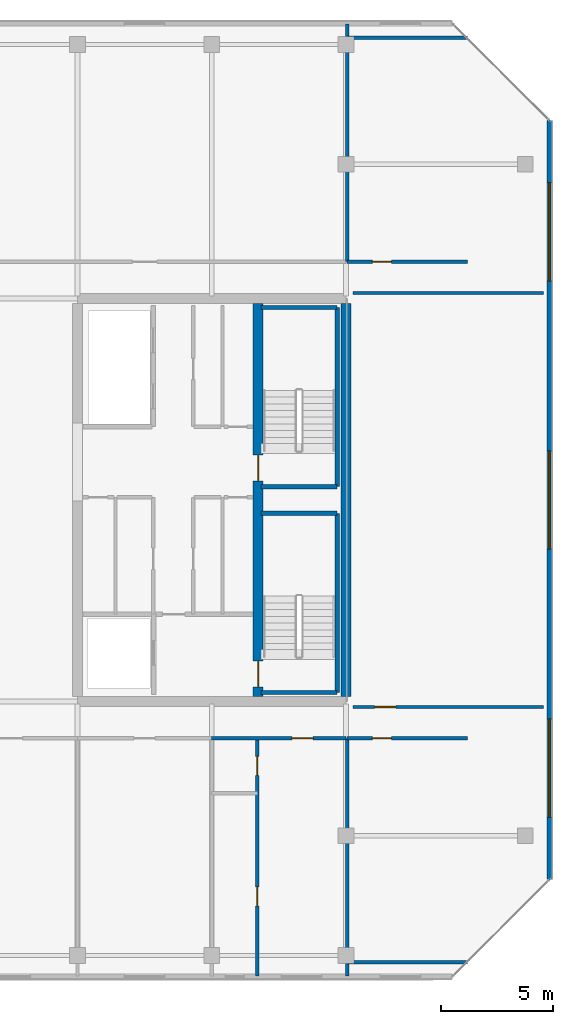
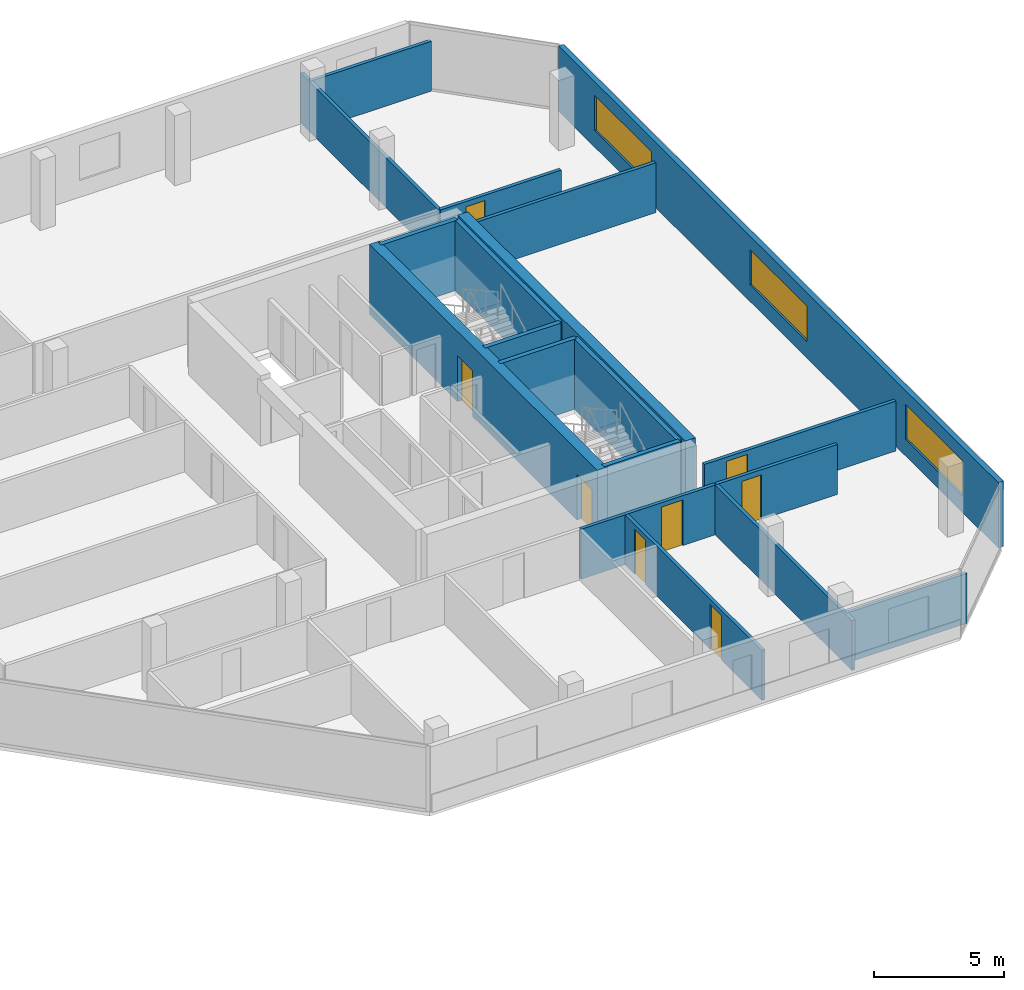
# One storey, part 25 of 29: 19 walls, 8 doors, 3 windows, 11 openings.
"""IFC4 building model written with IfcOpenShell, lengths in metres."""

from ifc_helpers import new_model, si_unit, direction, frame, frame_2d, origin, place, context, subcontext, project, spatial, rectangle, extrude, material, layer, layer_set, type_object, element, fill, save


model = new_model("IFC4")

# Units and contexts
model_context = context("Model", 3, precision=1e-05, world=origin(), true_north=direction((0.0, 1.0)))
body_context = subcontext(model_context, "Body", "Model", "MODEL_VIEW")
ifc_project = project(units=[si_unit("LENGTHUNIT", "METRE"), si_unit("AREAUNIT", "SQUARE_METRE"), si_unit("VOLUMEUNIT", "CUBIC_METRE"), si_unit("PLANEANGLEUNIT", "RADIAN"), si_unit("MASSUNIT", "GRAM", prefix="KILO")], contexts=[model_context])

# Site, building, storey
site_placement = place(None, origin())
site = spatial("IfcSite", under=ifc_project, at=site_placement, CompositionType="ELEMENT")
building_placement = place(site_placement, origin())
building = spatial("IfcBuilding", under=site, at=building_placement, Name="Tanjung Sevakor Pilgrim Tower", CompositionType="ELEMENT")
storey_placement = place(building_placement, frame((0.0, 0.0, 235.949951171875)))
storey = spatial("IfcBuildingStorey", under=building, at=storey_placement, Name="L66", CompositionType="ELEMENT", Elevation=235.949951171875)

# Wall
ifc_material_1 = material(Name="Concrete C60/75", Category="concrete")
ifc_layer_1 = layer(ifc_material_1, 0.449951171875)
ifc_layer_set_1 = layer_set([ifc_layer_1], Name="WALL-CW-450")
wall_type_1 = type_object("IfcWallType", Name="WALL-CW-450", PredefinedType="SHEAR", material=ifc_layer_set_1)
wall_1_placement = place(storey_placement, frame((90.0, 24.824951171875, 0.0), z_axis=(0.0, 0.0, 1.0), x_axis=(0.0, 1.0, 0.0)))
element("IfcWall", 1, at=wall_1_placement, inside=storey, type_object=wall_type_1, Name="L66 E Core Outer Shear Wall", PredefinedType="SHEAR", context=body_context, shape_type="SweptSolid", body=[
    extrude(rectangle(XDim=17.550048828125, YDim=0.449951171875, at=frame_2d((8.77490234375, 0.0))), origin(), (0.0, 0.0, 1.0), 3.300048828125),
])

# Wall, openings, doors
wall_2_placement = place(storey_placement, frame((86.074951171875, 24.824951171875, 0.0), z_axis=(0.0, 0.0, 1.0), x_axis=(0.0, 1.0, 0.0)))
wall_2 = element("IfcWall", 2, at=wall_2_placement, inside=storey, type_object=wall_type_1, Name="L66 E Core Stair Spine Wall", PredefinedType="SHEAR", context=body_context, shape_type="SweptSolid", body=[
    extrude(rectangle(XDim=17.550048828125, YDim=0.449951171875, at=frame_2d((8.77490234375, 0.0))), origin(), (0.0, 0.0, 1.0), 3.300048828125),
])
opening_1_placement = place(wall_2_placement, frame((0.425048828125, 0.0, 0.0)))
opening_1 = element("IfcOpeningElement", 3, at=opening_1_placement, cuts=wall_2, Name="Opening ID-ST1", PredefinedType="OPENING", context=body_context, shape_type="SweptSolid", body=[
    extrude(rectangle(XDim=1.14990234375, YDim=2.14990234375, at=frame_2d((0.574951171875, 1.074951171875))), frame((0.0, 0.23486328125, 0.0), z_axis=(0.0, -1.0, 0.0), x_axis=(1.0, 0.0, 0.0)), (0.0, 0.0, 1.0), 0.469970703125),
])
opening_2_placement = place(wall_2_placement, frame((9.625, 0.0, 0.0)))
opening_2 = element("IfcOpeningElement", 4, at=opening_2_placement, cuts=wall_2, Name="Opening ID-ST1", PredefinedType="OPENING", context=body_context, shape_type="SweptSolid", body=[
    extrude(rectangle(XDim=1.14990234375, YDim=2.14990234375, at=frame_2d((0.574951171875, 1.074951171875))), frame((0.0, 0.23486328125, 0.0), z_axis=(0.0, -1.0, 0.0), x_axis=(1.0, 0.0, 0.0)), (0.0, 0.0, 1.0), 0.469970703125),
])
ifc_material_2 = material(Name="Fire-Rated Steel S355J2", Category="steel")
door_type_1 = type_object("IfcDoorType", Name="DT-FIRE-1150", OperationType="NOTDEFINED", PredefinedType="DOOR", material=ifc_material_2)
door_1_placement = place(opening_1_placement, origin())
door_1 = element("IfcDoor", 5, at=door_1_placement, inside=storey, type_object=door_type_1, Name="L66 TS-E1 Stair Fire Door", OperationType="SINGLE_SWING_LEFT", OverallHeight=2.14990234375, OverallWidth=1.14990234375, PredefinedType="DOOR", context=body_context, shape_type="SweptSolid", body=[
    extrude(rectangle(XDim=1.14990234375, YDim=2.14990234375, at=frame_2d((0.574951171875, 1.074951171875))), frame((0.0, 0.02490234375, 0.0), z_axis=(0.0, -1.0, 0.0), x_axis=(1.0, 0.0, 0.0)), (0.0, 0.0, 1.0), 0.050048828125),
])
fill(opening_1, door_1)
door_2_placement = place(opening_2_placement, origin())
door_2 = element("IfcDoor", 6, at=door_2_placement, inside=storey, type_object=door_type_1, Name="L66 TS-E2 Stair Fire Door", OperationType="SINGLE_SWING_RIGHT", OverallHeight=2.14990234375, OverallWidth=1.14990234375, PredefinedType="DOOR", context=body_context, shape_type="SweptSolid", body=[
    extrude(rectangle(XDim=1.14990234375, YDim=2.14990234375, at=frame_2d((0.574951171875, 1.074951171875))), frame((0.0, 0.02490234375, 0.0), z_axis=(0.0, -1.0, 0.0), x_axis=(1.0, 0.0, 0.0)), (0.0, 0.0, 1.0), 0.050048828125),
])
fill(opening_2, door_2)

# Wall, opening, door
ifc_material_3 = material(Name="Concrete C40/50", Category="concrete")
ifc_layer_2 = layer(ifc_material_3, 0.14990234375)
ifc_layer_set_2 = layer_set([ifc_layer_2], Name="WT-COMP-150")
wall_type_2 = type_object("IfcWallType", Name="WT-COMP-150", PredefinedType="SOLIDWALL", material=ifc_layer_set_2)
wall_3_placement = place(storey_placement, frame((90.300048828125, 24.35009765625, 0.0), z_axis=(0.0, 0.0, 1.0), x_axis=(1.0, 0.0, 0.0)))
wall_3 = element("IfcWall", 7, at=wall_3_placement, inside=storey, type_object=wall_type_2, Name="L66 Partition IW-L66-049", PredefinedType="SOLIDWALL", context=body_context, shape_type="SweptSolid", body=[
    extrude(rectangle(XDim=8.52001953125, YDim=0.14990234375, at=frame_2d((4.260009765625, 0.0))), origin(), (0.0, 0.0, 1.0), 2.35009765625),
])
opening_3_placement = place(wall_3_placement, frame((0.97509765625, 0.0, 0.0)))
opening_3 = element("IfcOpeningElement", 8, at=opening_3_placement, cuts=wall_3, Name="Opening ID-RM1", PredefinedType="OPENING", context=body_context, shape_type="SweptSolid", body=[
    extrude(rectangle(XDim=0.949951171875, YDim=2.14990234375, at=frame_2d((0.47509765625, 1.074951171875))), frame((0.0, 0.0849609375, 0.0), z_axis=(0.0, -1.0, 0.0), x_axis=(1.0, 0.0, 0.0)), (0.0, 0.0, 1.0), 0.169921875),
])
ifc_material_4 = material(Name="Hardwood Timber", Category="wood")
door_type_2 = type_object("IfcDoorType", Name="DT-INT-950", OperationType="NOTDEFINED", PredefinedType="DOOR", material=ifc_material_4)
door_3_placement = place(opening_3_placement, origin())
door_3 = element("IfcDoor", 9, at=door_3_placement, inside=storey, type_object=door_type_2, Name="L66 East Crown Sanctuary Door", OperationType="SINGLE_SWING_LEFT", OverallHeight=2.14990234375, OverallWidth=0.949951171875, PredefinedType="DOOR", context=body_context, shape_type="SweptSolid", body=[
    extrude(rectangle(XDim=0.949951171875, YDim=2.14990234375, at=frame_2d((0.47509765625, 1.074951171875))), frame((0.0, 0.02490234375, 0.0), z_axis=(0.0, -1.0, 0.0), x_axis=(1.0, 0.0, 0.0)), (0.0, 0.0, 1.0), 0.050048828125),
])
fill(opening_3, door_3)

# Walls
wall_4_placement = place(storey_placement, frame((90.300048828125, 42.85009765625, 0.0), z_axis=(0.0, 0.0, 1.0), x_axis=(1.0, 0.0, 0.0)))
element("IfcWall", 10, at=wall_4_placement, inside=storey, type_object=wall_type_2, Name="L66 Partition IW-L66-050", PredefinedType="SOLIDWALL", context=body_context, shape_type="SweptSolid", body=[
    extrude(rectangle(XDim=8.52001953125, YDim=0.14990234375, at=frame_2d((4.260009765625, 0.0))), origin(), (0.0, 0.0, 1.0), 2.35009765625),
])
wall_5_placement = place(storey_placement, frame((90.050048828125, 12.949951171875, 0.0), z_axis=(0.0, 0.0, 1.0), x_axis=(1.0, 0.0, 0.0)))
element("IfcWall", 11, at=wall_5_placement, inside=storey, type_object=wall_type_2, Name="L66 Partition IW-L66-051", PredefinedType="SOLIDWALL", context=body_context, shape_type="SweptSolid", body=[
    extrude(rectangle(XDim=5.369873046875, YDim=0.14990234375, at=frame_2d((2.68505859375, 0.0))), origin(), (0.0, 0.0, 1.0), 2.35009765625),
])

# Wall, opening, door
wall_6_placement = place(storey_placement, frame((90.050048828125, 22.949951171875, 0.0), z_axis=(0.0, 0.0, 1.0), x_axis=(1.0, 0.0, 0.0)))
wall_6 = element("IfcWall", 12, at=wall_6_placement, inside=storey, type_object=wall_type_2, Name="L66 Partition IW-L66-052", PredefinedType="SOLIDWALL", context=body_context, shape_type="SweptSolid", body=[
    extrude(rectangle(XDim=5.369873046875, YDim=0.14990234375, at=frame_2d((2.68505859375, 0.0))), origin(), (0.0, 0.0, 1.0), 2.35009765625),
])
opening_4_placement = place(wall_6_placement, frame((1.125, 0.0, 0.0)))
opening_4 = element("IfcOpeningElement", 13, at=opening_4_placement, cuts=wall_6, Name="Opening ID-WC1", PredefinedType="OPENING", context=body_context, shape_type="SweptSolid", body=[
    extrude(rectangle(XDim=0.85009765625, YDim=2.10009765625, at=frame_2d((0.425048828125, 1.050048828125))), frame((0.0, 0.0849609375, 0.0), z_axis=(0.0, -1.0, 0.0), x_axis=(1.0, 0.0, 0.0)), (0.0, 0.0, 1.0), 0.169921875),
])
ifc_material_5 = material(Name="Moisture-Resistant Timber", Category="wood")
door_type_3 = type_object("IfcDoorType", Name="DT-INT-850", OperationType="NOTDEFINED", PredefinedType="DOOR", material=ifc_material_5)
door_4_placement = place(opening_4_placement, origin())
door_4 = element("IfcDoor", 14, at=door_4_placement, inside=storey, type_object=door_type_3, Name="L66 SE Crown Study Door", OperationType="SINGLE_SWING_RIGHT", OverallHeight=2.10009765625, OverallWidth=0.85009765625, PredefinedType="DOOR", context=body_context, shape_type="SweptSolid", body=[
    extrude(rectangle(XDim=0.85009765625, YDim=2.10009765625, at=frame_2d((0.425048828125, 1.050048828125))), frame((0.0, 0.02490234375, 0.0), z_axis=(0.0, -1.0, 0.0), x_axis=(1.0, 0.0, 0.0)), (0.0, 0.0, 1.0), 0.050048828125),
])
fill(opening_4, door_4)

# Wall
wall_7_placement = place(storey_placement, frame((90.050048828125, 12.340087890625, 0.0), z_axis=(0.0, 0.0, 1.0), x_axis=(0.0, 1.0, 0.0)))
element("IfcWall", 15, at=wall_7_placement, inside=storey, type_object=wall_type_2, Name="L66 Partition IW-L66-053", PredefinedType="SOLIDWALL", context=body_context, shape_type="SweptSolid", body=[
    extrude(rectangle(XDim=10.60986328125, YDim=0.14990234375, at=frame_2d((5.304931640625, 0.0))), origin(), (0.0, 0.0, 1.0), 2.35009765625),
])

# Wall, opening, door
wall_8_placement = place(storey_placement, frame((90.050048828125, 44.25, 0.0), z_axis=(0.0, 0.0, 1.0), x_axis=(1.0, 0.0, 0.0)))
wall_8 = element("IfcWall", 16, at=wall_8_placement, inside=storey, type_object=wall_type_2, Name="L66 Partition IW-L66-054", PredefinedType="SOLIDWALL", context=body_context, shape_type="SweptSolid", body=[
    extrude(rectangle(XDim=5.369873046875, YDim=0.14990234375, at=frame_2d((2.68505859375, 0.0))), origin(), (0.0, 0.0, 1.0), 2.35009765625),
])
opening_5_placement = place(wall_8_placement, frame((1.125, 0.0, 0.0)))
opening_5 = element("IfcOpeningElement", 17, at=opening_5_placement, cuts=wall_8, Name="Opening ID-WC1", PredefinedType="OPENING", context=body_context, shape_type="SweptSolid", body=[
    extrude(rectangle(XDim=0.85009765625, YDim=2.10009765625, at=frame_2d((0.425048828125, 1.050048828125))), frame((0.0, 0.0849609375, 0.0), z_axis=(0.0, -1.0, 0.0), x_axis=(1.0, 0.0, 0.0)), (0.0, 0.0, 1.0), 0.169921875),
])
door_5_placement = place(opening_5_placement, origin())
door_5 = element("IfcDoor", 18, at=door_5_placement, inside=storey, type_object=door_type_3, Name="L66 NE Crown Lounge Door", OperationType="SINGLE_SWING_LEFT", OverallHeight=2.10009765625, OverallWidth=0.85009765625, PredefinedType="DOOR", context=body_context, shape_type="SweptSolid", body=[
    extrude(rectangle(XDim=0.85009765625, YDim=2.10009765625, at=frame_2d((0.425048828125, 1.050048828125))), frame((0.0, 0.02490234375, 0.0), z_axis=(0.0, -1.0, 0.0), x_axis=(1.0, 0.0, 0.0)), (0.0, 0.0, 1.0), 0.050048828125),
])
fill(opening_5, door_5)

# Walls
wall_9_placement = place(storey_placement, frame((90.050048828125, 54.25, 0.0), z_axis=(0.0, 0.0, 1.0), x_axis=(1.0, 0.0, 0.0)))
element("IfcWall", 19, at=wall_9_placement, inside=storey, type_object=wall_type_2, Name="L66 Partition IW-L66-055", PredefinedType="SOLIDWALL", context=body_context, shape_type="SweptSolid", body=[
    extrude(rectangle(XDim=5.369873046875, YDim=0.14990234375, at=frame_2d((2.68505859375, 0.0))), origin(), (0.0, 0.0, 1.0), 2.35009765625),
])
wall_10_placement = place(storey_placement, frame((90.050048828125, 44.25, 0.0), z_axis=(0.0, 0.0, 1.0), x_axis=(0.0, 1.0, 0.0)))
element("IfcWall", 20, at=wall_10_placement, inside=storey, type_object=wall_type_2, Name="L66 Partition IW-L66-056", PredefinedType="SOLIDWALL", context=body_context, shape_type="SweptSolid", body=[
    extrude(rectangle(XDim=10.610107421875, YDim=0.14990234375, at=frame_2d((5.30517578125, 0.0))), origin(), (0.0, 0.0, 1.0), 2.35009765625),
])

# Wall, opening, door
wall_11_placement = place(storey_placement, frame((84.0, 22.949951171875, 0.0), z_axis=(0.0, 0.0, 1.0), x_axis=(1.0, 0.0, 0.0)))
wall_11 = element("IfcWall", 21, at=wall_11_placement, inside=storey, type_object=wall_type_2, Name="L66 Partition IW-L66-063", PredefinedType="SOLIDWALL", context=body_context, shape_type="SweptSolid", body=[
    extrude(rectangle(XDim=6.0, YDim=0.14990234375, at=frame_2d((3.0, 0.0))), origin(), (0.0, 0.0, 1.0), 2.35009765625),
])
opening_6_placement = place(wall_11_placement, frame((3.5849609375, 0.0, 0.0)))
opening_6 = element("IfcOpeningElement", 22, at=opening_6_placement, cuts=wall_11, Name="Opening ID-FD2", PredefinedType="OPENING", context=body_context, shape_type="SweptSolid", body=[
    extrude(rectangle(XDim=0.949951171875, YDim=2.14990234375, at=frame_2d((0.47509765625, 1.074951171875))), frame((0.0, 0.0849609375, 0.0), z_axis=(0.0, -1.0, 0.0), x_axis=(1.0, 0.0, 0.0)), (0.0, 0.0, 1.0), 0.169921875),
])
ifc_material_6 = material(Name="Fire-Rated Timber", Category="wood")
door_type_4 = type_object("IfcDoorType", Name="DT-FIRE-950", OperationType="NOTDEFINED", PredefinedType="DOOR", material=ifc_material_6)
door_6_placement = place(opening_6_placement, origin())
door_6 = element("IfcDoor", 23, at=door_6_placement, inside=storey, type_object=door_type_4, Name="Hotel Guestroom Entrance", OperationType="SINGLE_SWING_RIGHT", OverallHeight=2.14990234375, OverallWidth=0.949951171875, PredefinedType="DOOR", context=body_context, shape_type="SweptSolid", body=[
    extrude(rectangle(XDim=0.949951171875, YDim=2.14990234375, at=frame_2d((0.47509765625, 1.074951171875))), frame((0.0, 0.02490234375, 0.0), z_axis=(0.0, -1.0, 0.0), x_axis=(1.0, 0.0, 0.0)), (0.0, 0.0, 1.0), 0.050048828125),
])
fill(opening_6, door_6)

# Wall, openings, windows
ifc_material_7 = material(Name="Precast concrete C45/55", Category="concrete")
ifc_layer_3 = layer(ifc_material_7, 0.219970703125)
ifc_layer_set_3 = layer_set([ifc_layer_3], Name="WT-EW-STN4")
wall_type_3 = type_object("IfcWallType", Name="WT-EW-STN4", PredefinedType="SOLIDWALL", material=ifc_layer_set_3)
wall_12_placement = place(storey_placement, frame((99.090087890625, 16.6455078125, 0.0), z_axis=(0.0, 0.0, 1.0), x_axis=(0.0, 1.0, 0.0)))
wall_12 = element("IfcWall", 24, at=wall_12_placement, inside=storey, type_object=wall_type_3, Name="L66 EAST Exterior Wall 3", PredefinedType="SOLIDWALL", context=body_context, shape_type="SweptSolid", body=[
    extrude(rectangle(XDim=33.908935546875, YDim=0.219970703125, at=frame_2d((16.95458984375, 0.0))), origin(), (0.0, 0.0, 1.0), 3.080078125),
])
opening_7_placement = place(wall_12_placement, frame((14.75439453125, 0.0, 0.780029296875)))
opening_7 = element("IfcOpeningElement", 25, at=opening_7_placement, cuts=wall_12, Name="Opening WN-ENDW-1660", PredefinedType="OPENING", context=body_context, shape_type="SweptSolid", body=[
    extrude(rectangle(XDim=4.39990234375, YDim=1.659912109375, at=frame_2d((2.199951171875, 0.830078125))), frame((0.0, 0.119873046875, 0.0), z_axis=(0.0, -1.0, 0.0), x_axis=(1.0, 0.0, 0.0)), (0.0, 0.0, 1.0), 0.239990234375),
])
opening_8_placement = place(wall_12_placement, frame((2.772216796875, 0.0, 0.780029296875)))
opening_8 = element("IfcOpeningElement", 26, at=opening_8_placement, cuts=wall_12, Name="Opening WN-ENDW-1660", PredefinedType="OPENING", context=body_context, shape_type="SweptSolid", body=[
    extrude(rectangle(XDim=4.39990234375, YDim=1.659912109375, at=frame_2d((2.199951171875, 0.830078125))), frame((0.0, 0.119873046875, 0.0), z_axis=(0.0, -1.0, 0.0), x_axis=(1.0, 0.0, 0.0)), (0.0, 0.0, 1.0), 0.239990234375),
])
opening_9_placement = place(wall_12_placement, frame((26.736572265625, 0.0, 0.780029296875)))
opening_9 = element("IfcOpeningElement", 27, at=opening_9_placement, cuts=wall_12, Name="Opening WN-ENDW-1660", PredefinedType="OPENING", context=body_context, shape_type="SweptSolid", body=[
    extrude(rectangle(XDim=4.39990234375, YDim=1.659912109375, at=frame_2d((2.199951171875, 0.830078125))), frame((0.0, 0.119873046875, 0.0), z_axis=(0.0, -1.0, 0.0), x_axis=(1.0, 0.0, 0.0)), (0.0, 0.0, 1.0), 0.239990234375),
])
ifc_material_8 = material(Name="Thermally Broken Aluminium and Low-E Glass", Category="aluminium")
window_type = type_object("IfcWindowType", Name="WTYP-WN-ENDW-1660", PartitioningType="DOUBLE_PANEL_VERTICAL", PredefinedType="WINDOW", material=ifc_material_8)
window_1_placement = place(opening_7_placement, origin())
window_1 = element("IfcWindow", 28, at=window_1_placement, inside=storey, type_object=window_type, Name="L66 Facade Window 01", OverallHeight=1.659912109375, OverallWidth=4.39990234375, PartitioningType="SINGLE_PANEL", PredefinedType="WINDOW", context=body_context, shape_type="SweptSolid", body=[
    extrude(rectangle(XDim=4.39990234375, YDim=1.659912109375, at=frame_2d((2.199951171875, 0.830078125))), frame((0.0, 0.030029296875, 0.0), z_axis=(0.0, -1.0, 0.0), x_axis=(1.0, 0.0, 0.0)), (0.0, 0.0, 1.0), 0.06005859375),
])
fill(opening_7, window_1)
window_2_placement = place(opening_8_placement, origin())
window_2 = element("IfcWindow", 29, at=window_2_placement, inside=storey, type_object=window_type, Name="L66 Facade Window 02", OverallHeight=1.659912109375, OverallWidth=4.39990234375, PartitioningType="SINGLE_PANEL", PredefinedType="WINDOW", context=body_context, shape_type="SweptSolid", body=[
    extrude(rectangle(XDim=4.39990234375, YDim=1.659912109375, at=frame_2d((2.199951171875, 0.830078125))), frame((0.0, 0.030029296875, 0.0), z_axis=(0.0, -1.0, 0.0), x_axis=(1.0, 0.0, 0.0)), (0.0, 0.0, 1.0), 0.06005859375),
])
fill(opening_8, window_2)
window_3_placement = place(opening_9_placement, origin())
window_3 = element("IfcWindow", 30, at=window_3_placement, inside=storey, type_object=window_type, Name="L66 Facade Window 03", OverallHeight=1.659912109375, OverallWidth=4.39990234375, PartitioningType="SINGLE_PANEL", PredefinedType="WINDOW", context=body_context, shape_type="SweptSolid", body=[
    extrude(rectangle(XDim=4.39990234375, YDim=1.659912109375, at=frame_2d((2.199951171875, 0.830078125))), frame((0.0, 0.030029296875, 0.0), z_axis=(0.0, -1.0, 0.0), x_axis=(1.0, 0.0, 0.0)), (0.0, 0.0, 1.0), 0.06005859375),
])
fill(opening_9, window_3)

# Walls
ifc_material_9 = material(Name="Concrete C40/50", Category="concrete")
ifc_layer_4 = layer(ifc_material_9, 0.199951171875)
ifc_layer_set_4 = layer_set([ifc_layer_4], Name="WT-FIRE-200")
wall_type_4 = type_object("IfcWallType", Name="WT-FIRE-200", PredefinedType="SOLIDWALL", material=ifc_layer_set_4)
wall_13_placement = place(storey_placement, frame((86.199951171875, 25.0, 0.0), z_axis=(0.0, 0.0, 1.0), x_axis=(1.0, 0.0, 0.0)))
element("IfcWall", 31, at=wall_13_placement, inside=storey, type_object=wall_type_4, Name="L66 TS-E1 Shaft Wall 1", PredefinedType="SOLIDWALL", context=body_context, shape_type="SweptSolid", body=[
    extrude(rectangle(XDim=3.400146484375, YDim=0.199951171875, at=frame_2d((1.7001953125, 0.0))), origin(), (0.0, 0.0, 1.0), 3.300048828125),
])
wall_14_placement = place(storey_placement, frame((89.60009765625, 25.0, 0.0), z_axis=(0.0, 0.0, 1.0), x_axis=(0.0, 1.0, 0.0)))
element("IfcWall", 32, at=wall_14_placement, inside=storey, type_object=wall_type_4, Name="L66 TS-E1 Shaft Wall 2", PredefinedType="SOLIDWALL", context=body_context, shape_type="SweptSolid", body=[
    extrude(rectangle(XDim=8.0, YDim=0.199951171875, at=frame_2d((4.0, 0.0))), origin(), (0.0, 0.0, 1.0), 3.300048828125),
])
for number, where, z_axis, x_axis, name in (
    (33, (89.60009765625, 33.0, 0.0), (0.0, 0.0, 1.0), (-1.0, 0.0, 0.0), "L66 TS-E1 Shaft Wall 3"),
    (34, (86.199951171875, 34.199951171875, 0.0), (0.0, 0.0, 1.0), (1.0, 0.0, 0.0), "L66 TS-E2 Shaft Wall 1"),
):
    element("IfcWall", number, at=place(storey_placement, frame(where, z_axis=z_axis, x_axis=x_axis)), inside=storey, type_object=wall_type_4, Name=name, PredefinedType="SOLIDWALL", context=body_context, shape_type="SweptSolid", body=[
        extrude(rectangle(XDim=3.400146484375, YDim=0.199951171875, at=frame_2d((1.7001953125, 0.0))), origin(), (0.0, 0.0, 1.0), 3.300048828125),
    ])
wall_15_placement = place(storey_placement, frame((89.60009765625, 34.199951171875, 0.0), z_axis=(0.0, 0.0, 1.0), x_axis=(0.0, 1.0, 0.0)))
element("IfcWall", 35, at=wall_15_placement, inside=storey, type_object=wall_type_4, Name="L66 TS-E2 Shaft Wall 2", PredefinedType="SOLIDWALL", context=body_context, shape_type="SweptSolid", body=[
    extrude(rectangle(XDim=8.0, YDim=0.199951171875, at=frame_2d((4.0, 0.0))), origin(), (0.0, 0.0, 1.0), 3.300048828125),
])
wall_16_placement = place(storey_placement, frame((89.60009765625, 42.199951171875, 0.0), z_axis=(0.0, 0.0, 1.0), x_axis=(-1.0, 0.0, 0.0)))
element("IfcWall", 36, at=wall_16_placement, inside=storey, type_object=wall_type_4, Name="L66 TS-E2 Shaft Wall 3", PredefinedType="SOLIDWALL", context=body_context, shape_type="SweptSolid", body=[
    extrude(rectangle(XDim=3.400146484375, YDim=0.199951171875, at=frame_2d((1.7001953125, 0.0))), origin(), (0.0, 0.0, 1.0), 3.300048828125),
])

# Wall, openings, doors
ifc_material_10 = material(Name="Gypsum Board Partition", Category="gypsum board")
ifc_layer_5 = layer(ifc_material_10, 0.14990234375)
ifc_layer_set_5 = layer_set([ifc_layer_5], Name="WT-PART-150")
wall_type_5 = type_object("IfcWallType", Name="WT-PART-150", PredefinedType="PARTITIONING", material=ifc_layer_set_5)
wall_17_placement = place(storey_placement, frame((86.0400390625, 12.340087890625, 0.0), z_axis=(0.0, 0.0, 1.0), x_axis=(0.0, 1.0, 0.0)))
wall_17 = element("IfcWall", 37, at=wall_17_placement, inside=storey, type_object=wall_type_5, Name="L66 Partition IW-L66-062", PredefinedType="PARTITIONING", context=body_context, shape_type="SweptSolid", body=[
    extrude(rectangle(XDim=10.60986328125, YDim=0.14990234375, at=frame_2d((5.304931640625, 0.0))), origin(), (0.0, 0.0, 1.0), 2.35009765625),
])
opening_10_placement = place(wall_17_placement, frame((3.1240234375, 0.0, 0.0)))
opening_10 = element("IfcOpeningElement", 38, at=opening_10_placement, cuts=wall_17, Name="Opening ID-WC1", PredefinedType="OPENING", context=body_context, shape_type="SweptSolid", body=[
    extrude(rectangle(XDim=0.85009765625, YDim=2.10009765625, at=frame_2d((0.425048828125, 1.050048828125))), frame((0.0, 0.0849609375, 0.0), z_axis=(0.0, -1.0, 0.0), x_axis=(1.0, 0.0, 0.0)), (0.0, 0.0, 1.0), 0.169921875),
])
opening_11_placement = place(wall_17_placement, frame((8.9599609375, 0.0, 0.0)))
opening_11 = element("IfcOpeningElement", 39, at=opening_11_placement, cuts=wall_17, Name="Opening ID-WC1", PredefinedType="OPENING", context=body_context, shape_type="SweptSolid", body=[
    extrude(rectangle(XDim=0.85009765625, YDim=2.10009765625, at=frame_2d((0.425048828125, 1.050048828125))), frame((0.0, 0.0849609375, 0.0), z_axis=(0.0, -1.0, 0.0), x_axis=(1.0, 0.0, 0.0)), (0.0, 0.0, 1.0), 0.169921875),
])
door_7_placement = place(opening_10_placement, origin())
door_7 = element("IfcDoor", 40, at=door_7_placement, inside=storey, type_object=door_type_3, Name="Study Nook Door", OperationType="SINGLE_SWING_RIGHT", OverallHeight=2.10009765625, OverallWidth=0.85009765625, PredefinedType="DOOR", context=body_context, shape_type="SweptSolid", body=[
    extrude(rectangle(XDim=0.85009765625, YDim=2.10009765625, at=frame_2d((0.425048828125, 1.050048828125))), frame((0.0, 0.02490234375, 0.0), z_axis=(0.0, -1.0, 0.0), x_axis=(1.0, 0.0, 0.0)), (0.0, 0.0, 1.0), 0.050048828125),
])
fill(opening_10, door_7)
door_8_placement = place(opening_11_placement, origin())
door_8 = element("IfcDoor", 41, at=door_8_placement, inside=storey, type_object=door_type_3, Name="Bathroom Door", OperationType="SINGLE_SWING_LEFT", OverallHeight=2.10009765625, OverallWidth=0.85009765625, PredefinedType="DOOR", context=body_context, shape_type="SweptSolid", body=[
    extrude(rectangle(XDim=0.85009765625, YDim=2.10009765625, at=frame_2d((0.425048828125, 1.050048828125))), frame((0.0, 0.02490234375, 0.0), z_axis=(0.0, -1.0, 0.0), x_axis=(1.0, 0.0, 0.0)), (0.0, 0.0, 1.0), 0.050048828125),
])
fill(opening_11, door_8)

save(model, "model.ifc")
